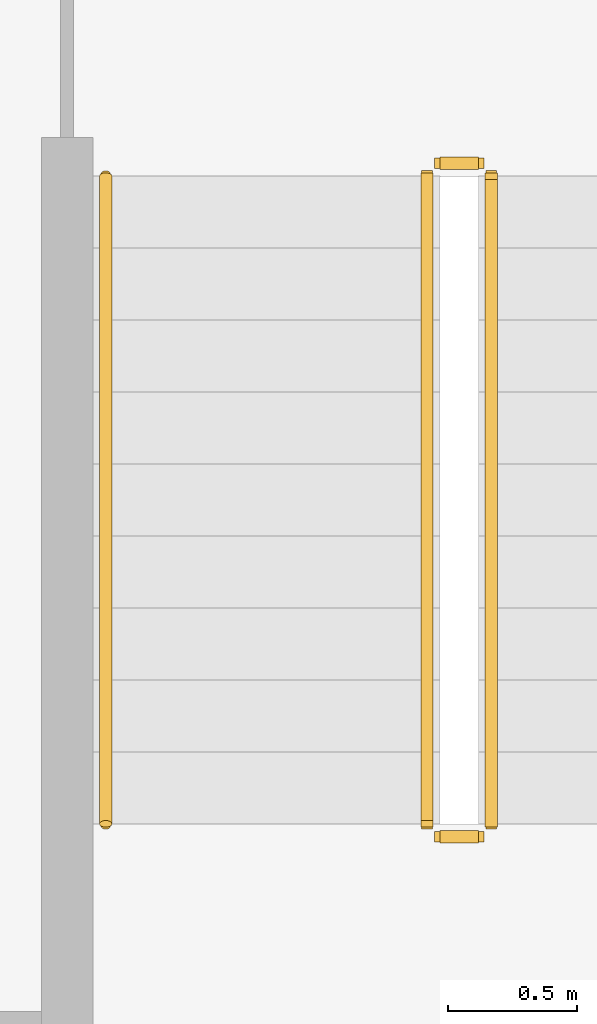
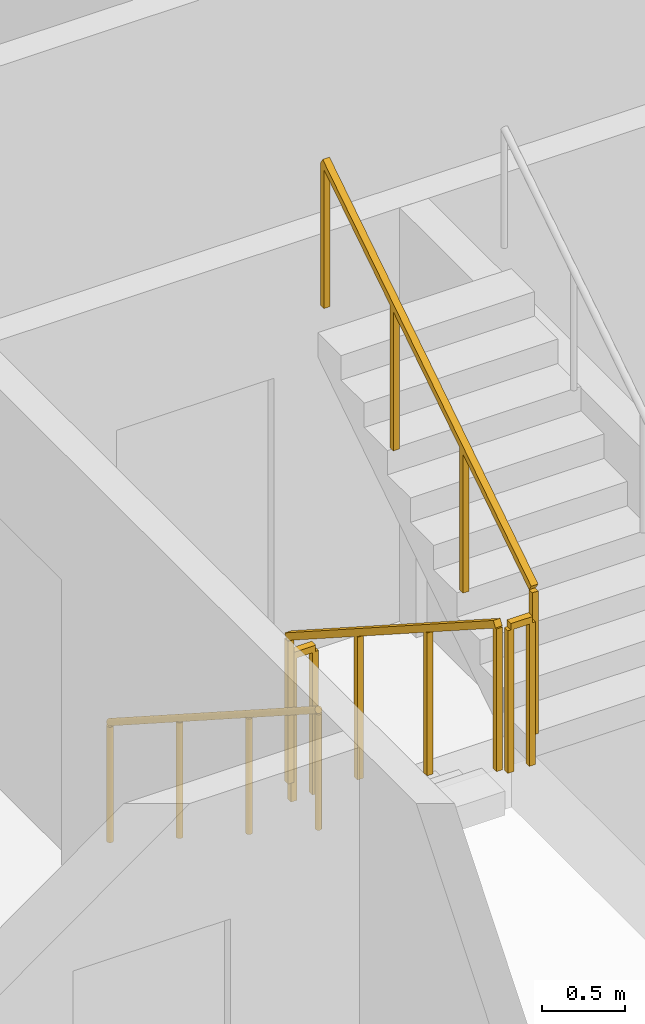
# One storey, part 17 of 20: 5 railings.
"""IFC4 building model written with IfcOpenShell, lengths in metres."""

from ifc_helpers import new_model, si_unit, direction, frame, origin, origin_2d, place, context, subcontext, project, spatial, rectangle, circle, extrude, material, type_object, element, save


model = new_model("IFC4")

# Units and contexts
model_context = context("Model", 3, precision=1e-05, world=origin(), true_north=direction((0.0, 1.0)))
body_context = subcontext(model_context, "Body", "Model", "MODEL_VIEW")
ifc_project = project(units=[si_unit("LENGTHUNIT", "METRE"), si_unit("AREAUNIT", "SQUARE_METRE"), si_unit("VOLUMEUNIT", "CUBIC_METRE"), si_unit("PLANEANGLEUNIT", "RADIAN"), si_unit("MASSUNIT", "GRAM", prefix="KILO")], contexts=[model_context])

# Site, building, storey
site_placement = place(None, origin())
site = spatial("IfcSite", under=ifc_project, at=site_placement, CompositionType="ELEMENT")
building_placement = place(site_placement, origin())
building = spatial("IfcBuilding", under=site, at=building_placement, Name="Mangrove Gate Tower", CompositionType="ELEMENT")
storey_placement = place(building_placement, frame((0.0, 0.0, 279.89990234375)))
storey = spatial("IfcBuildingStorey", under=building, at=storey_placement, Name="L71", CompositionType="ELEMENT", Elevation=279.89990234375)

# Railings
ifc_material_1 = material(Name="Stainless steel 316", Category="steel")
railing_type_1 = type_object("IfcRailingType", Name="Core stair guard 1100", PredefinedType="GUARDRAIL", material=ifc_material_1)
railing_1_placement = place(storey_placement, frame((-0.14990234375, -4.64990234375, 0.18017578125)))
element("IfcRailing", 1, at=railing_1_placement, inside=storey, type_object=railing_type_1, Name="L71 ST2 stair guard 1", PredefinedType="GUARDRAIL", context=body_context, shape_type="SweptSolid", body=[
    extrude(rectangle(XDim=0.048095703125, YDim=0.048095703125, at=origin_2d()), frame((0.0, 0.0, 1.076171875), z_axis=(0.0, -0.841199657755, 0.540724639528), x_axis=(1.0, 0.0, 0.0)), (0.0, 0.0, 1.0), 2.995849609375),
    extrude(rectangle(XDim=0.0419921875, YDim=0.0419921875, at=origin_2d()), origin(), (0.0, 0.0, 1.0), 1.052001953125),
    extrude(rectangle(XDim=0.0419921875, YDim=0.0419921875, at=origin_2d()), frame((0.0, -0.840087890625, 0.5400390625)), (0.0, 0.0, 1.0), 1.052001953125),
    extrude(rectangle(XDim=0.0419921875, YDim=0.0419921875, at=origin_2d()), frame((0.0, -1.679931640625, 1.079833984375)), (0.0, 0.0, 1.0), 1.052001953125),
    extrude(rectangle(XDim=0.0419921875, YDim=0.0419921875, at=origin_2d()), frame((0.0, -2.52001953125, 1.619873046875)), (0.0, 0.0, 1.0), 1.052001953125),
])
railing_2_placement = place(storey_placement, frame((-0.10009765625, -7.219970703125, 1.800048828125)))
element("IfcRailing", 2, at=railing_2_placement, inside=storey, type_object=railing_type_1, Name="L71 ST2 stair guard 2", PredefinedType="GUARDRAIL", context=body_context, shape_type="SweptSolid", body=[
    extrude(rectangle(XDim=0.048095703125, YDim=0.048095703125, at=origin_2d()), frame((0.0, 0.0, 1.076171875), z_axis=(1.0, 0.0, 0.0), x_axis=(0.0, 1.0, 0.0)), (0.0, 0.0, 1.0), 0.150146484375),
    extrude(rectangle(XDim=0.0419921875, YDim=0.0419921875, at=origin_2d()), origin(), (0.0, 0.0, 1.0), 1.052001953125),
    extrude(rectangle(XDim=0.0419921875, YDim=0.0419921875, at=origin_2d()), frame((0.150146484375, 0.0, 0.0)), (0.0, 0.0, 1.0), 1.052001953125),
])
railing_3_placement = place(storey_placement, frame((0.10009765625, -7.169921875, 1.97998046875)))
element("IfcRailing", 3, at=railing_3_placement, inside=storey, type_object=railing_type_1, Name="L71 ST2 stair guard 3", PredefinedType="GUARDRAIL", context=body_context, shape_type="SweptSolid", body=[
    extrude(rectangle(XDim=0.048095703125, YDim=0.048095703125, at=origin_2d()), frame((0.0, 0.0, 1.076171875), z_axis=(0.0, 0.841162588446, 0.540782303519), x_axis=(-1.0, 0.0, 0.0)), (0.0, 0.0, 1.0), 2.995849609375),
    extrude(rectangle(XDim=0.0419921875, YDim=0.0419921875, at=origin_2d()), origin(), (0.0, 0.0, 1.0), 1.052001953125),
    extrude(rectangle(XDim=0.0419921875, YDim=0.0419921875, at=origin_2d()), frame((0.0, 0.840087890625, 0.5400390625)), (0.0, 0.0, 1.0), 1.052001953125),
    extrude(rectangle(XDim=0.0419921875, YDim=0.0419921875, at=origin_2d()), frame((0.0, 1.679931640625, 1.080078125)), (0.0, 0.0, 1.0), 1.052001953125),
    extrude(rectangle(XDim=0.0419921875, YDim=0.0419921875, at=origin_2d()), frame((0.0, 2.52001953125, 1.6201171875)), (0.0, 0.0, 1.0), 1.052001953125),
])
railing_4_placement = place(storey_placement, frame((-0.10009765625, -4.60009765625, 0.0)))
element("IfcRailing", 4, at=railing_4_placement, inside=storey, type_object=railing_type_1, Name="L71 ST2 stair guard 4", PredefinedType="GUARDRAIL", context=body_context, shape_type="SweptSolid", body=[
    extrude(rectangle(XDim=0.048095703125, YDim=0.048095703125, at=origin_2d()), frame((0.0, 0.0, 1.076171875), z_axis=(1.0, 0.0, 0.0), x_axis=(0.0, 1.0, 0.0)), (0.0, 0.0, 1.0), 0.150146484375),
    extrude(rectangle(XDim=0.0419921875, YDim=0.0419921875, at=origin_2d()), origin(), (0.0, 0.0, 1.0), 1.052001953125),
    extrude(rectangle(XDim=0.0419921875, YDim=0.0419921875, at=origin_2d()), frame((0.150146484375, 0.0, 0.0)), (0.0, 0.0, 1.0), 1.052001953125),
])
ifc_material_2 = material(Name="Stainless steel 316", Category="steel")
railing_type_2 = type_object("IfcRailingType", Name="Core stair handrail 900", PredefinedType="HANDRAIL", material=ifc_material_2)
railing_5_placement = place(storey_placement, frame((-1.39990234375, -4.64990234375, 0.18017578125)))
element("IfcRailing", 5, at=railing_5_placement, inside=storey, type_object=railing_type_2, Name="L71 ST2 stair handrail 1", PredefinedType="HANDRAIL", context=body_context, shape_type="SweptSolid", body=[
    extrude(circle(Radius=0.02392578125, at=origin_2d()), frame((0.0, 0.0, 0.8759765625), z_axis=(0.0, -0.841199657755, 0.540724639528), x_axis=(1.0, 0.0, 0.0)), (0.0, 0.0, 1.0), 2.995849609375),
    extrude(circle(Radius=0.02099609375, at=origin_2d()), origin(), (0.0, 0.0, 1.0), 0.851806640625),
    extrude(circle(Radius=0.02099609375, at=origin_2d()), frame((0.0, -0.840087890625, 0.5400390625)), (0.0, 0.0, 1.0), 0.851806640625),
    extrude(circle(Radius=0.02099609375, at=origin_2d()), frame((0.0, -1.679931640625, 1.079833984375)), (0.0, 0.0, 1.0), 0.851806640625),
    extrude(circle(Radius=0.02099609375, at=origin_2d()), frame((0.0, -2.52001953125, 1.619873046875)), (0.0, 0.0, 1.0), 0.851806640625),
])

save(model, "model.ifc")
